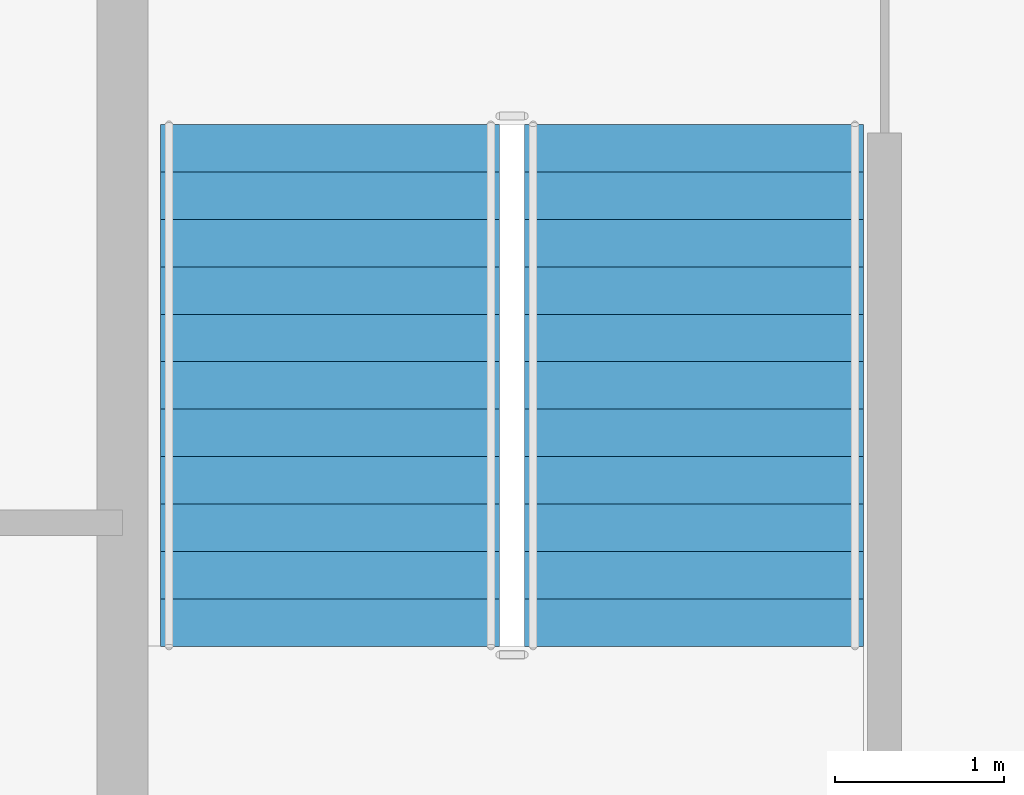
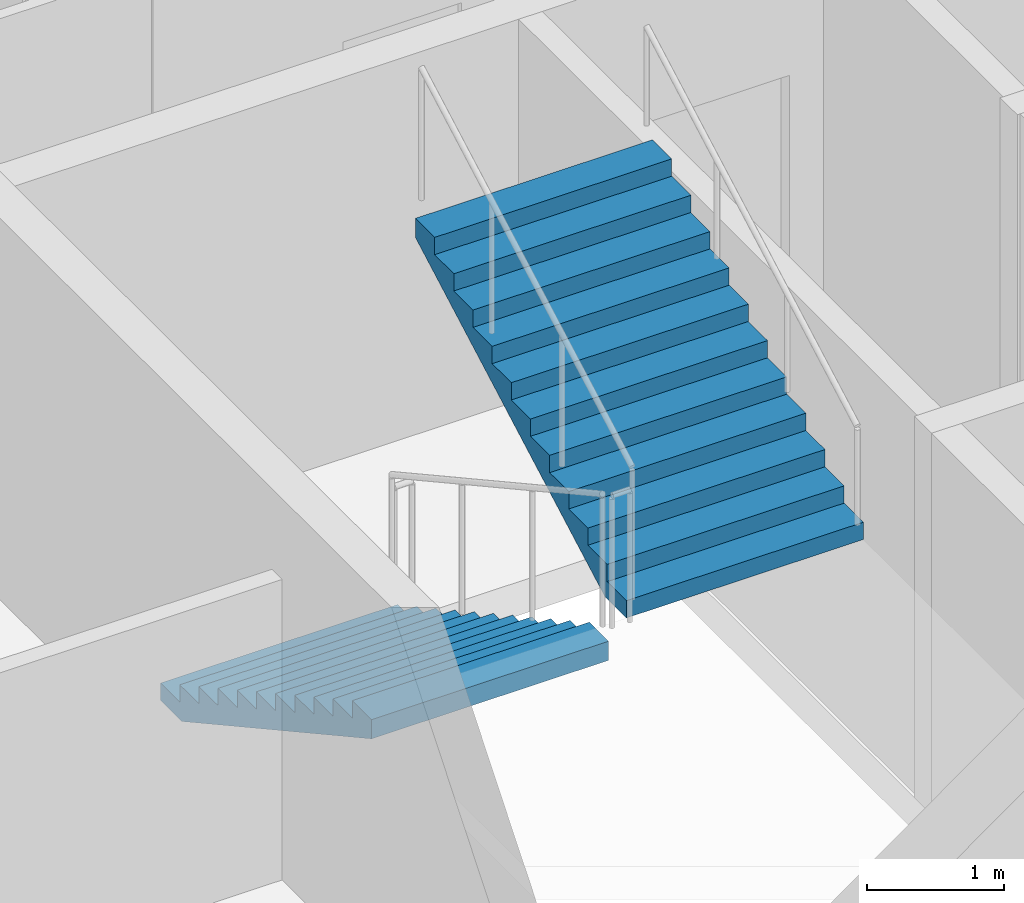
# One storey, part 7 of 11: 2 stair flights, 1 element without a shape of its own.
"""IFC4 building model written with IfcOpenShell, lengths in metres."""

from ifc_helpers import new_model, si_unit, direction, frame, origin, place, context, subcontext, project, spatial, polygons, material, type_object, element, aggregate, save


model = new_model("IFC4")

# Units and contexts
model_context = context("Model", 3, precision=1e-05, world=origin(), true_north=direction((0.0, 1.0)))
body_context = subcontext(model_context, "Body", "Model", "MODEL_VIEW")
ifc_project = project(units=[si_unit("LENGTHUNIT", "METRE"), si_unit("AREAUNIT", "SQUARE_METRE"), si_unit("VOLUMEUNIT", "CUBIC_METRE"), si_unit("PLANEANGLEUNIT", "RADIAN"), si_unit("MASSUNIT", "GRAM", prefix="KILO")], contexts=[model_context])

# Site, building, storey
site_placement = place(None, origin())
site = spatial("IfcSite", under=ifc_project, at=site_placement, CompositionType="ELEMENT")
building_placement = place(site_placement, origin())
building = spatial("IfcBuilding", under=site, at=building_placement, Name="Caravel Reach Hotel and Residences", CompositionType="ELEMENT")
storey_placement = place(building_placement, frame((0.0, 0.0, 256.39990234375)))
storey = spatial("IfcBuildingStorey", under=building, at=storey_placement, Name="L65", CompositionType="ELEMENT", Elevation=256.39990234375)

# Stair, stair flights
ifc_material_1 = material(Name="Concrete C40", Category="concrete")
stair_type = type_object("IfcStairType", Name="Core stair", PredefinedType="HALF_TURN_STAIR", material=ifc_material_1)
stair_placement = place(storey_placement, origin())
stair = element("IfcStair", 1, at=stair_placement, inside=storey, type_object=stair_type, Name="L65 Exit stair A", PredefinedType="HALF_TURN_STAIR")
ifc_material_2 = material(Name="Concrete C40", Category="concrete")
stair_flight_type = type_object("IfcStairFlightType", Name="Core stair flight", PredefinedType="STRAIGHT", material=ifc_material_2)
stair_flight_1_placement = place(storey_placement, frame((19.22509765625, 29.35009765625, 0.0), z_axis=(0.0, 0.0, 1.0), x_axis=(0.0, -1.0, 0.0)))
stair_flight_1 = element("IfcStairFlight", 2, at=stair_flight_1_placement, type_object=stair_flight_type, Name="ST-A flight 1", NumberOfRisers=12, NumberOfTreads=11, PredefinedType="STRAIGHT", RiserHeight=0.154166667, TreadLength=0.28, context=body_context, shape_type="Tessellation", body=[
    polygons([(0.3107950034306102, 1.0, 0.0), (0.3107950034306102, 0.6666666666666667, 0.0), (0.3107950034306102, 0.33333333333333337, 0.0), (0.3107950034306102, 0.0, 0.0), (0.3107950034306102, -0.33333333333333326, 0.0), (0.3107950034306102, -0.6666666666666667, 0.0), (0.3107950034306102, -1.0, 0.0), (3.081, 1.0, 1.524711087717319), (3.081, 0.6666666666666667, 1.524711087717319), (3.081, 0.33333333333333337, 1.524711087717319), (3.081, 0.0, 1.524711087717319), (3.081, -0.33333333333333326, 1.524711087717319), (3.081, -0.6666666666666667, 1.524711087717319), (3.081, -1.0, 1.524711087717319), (3.081, 1.0, 1.695833337), (3.081, 0.6666666666666667, 1.695833337), (3.081, 0.33333333333333337, 1.695833337), (3.081, 0.0, 1.695833337), (3.081, -0.33333333333333326, 1.695833337), (3.081, -0.6666666666666667, 1.695833337), (3.081, -1.0, 1.695833337), (2.8000000000000003, 1.0, 1.695833337), (2.8000000000000003, 0.6666666666666667, 1.695833337), (2.8000000000000003, 0.33333333333333337, 1.695833337), (2.8000000000000003, 0.0, 1.695833337), (2.8000000000000003, -0.33333333333333326, 1.695833337), (2.8000000000000003, -0.6666666666666667, 1.695833337), (2.8000000000000003, -1.0, 1.695833337), (2.8000000000000003, 1.0, 1.5416666700000001), (2.8000000000000003, 0.6666666666666667, 1.5416666700000001), (2.8000000000000003, 0.33333333333333337, 1.5416666700000001), (2.8000000000000003, 0.0, 1.5416666700000001), (2.8000000000000003, -0.33333333333333326, 1.5416666700000001), (2.8000000000000003, -0.6666666666666667, 1.5416666700000001), (2.8000000000000003, -1.0, 1.5416666700000001), (2.5200000000000005, 1.0, 1.5416666700000001), (2.5200000000000005, 0.6666666666666667, 1.5416666700000001), (2.5200000000000005, 0.33333333333333337, 1.5416666700000001), (2.5200000000000005, 0.0, 1.5416666700000001), (2.5200000000000005, -0.33333333333333326, 1.5416666700000001), (2.5200000000000005, -0.6666666666666667, 1.5416666700000001), (2.5200000000000005, -1.0, 1.5416666700000001), (2.5200000000000005, 1.0, 1.387500003), (2.5200000000000005, 0.6666666666666667, 1.387500003), (2.5200000000000005, 0.33333333333333337, 1.387500003), (2.5200000000000005, 0.0, 1.387500003), (2.5200000000000005, -0.33333333333333326, 1.387500003), (2.5200000000000005, -0.6666666666666667, 1.387500003), (2.5200000000000005, -1.0, 1.387500003), (2.24, 1.0, 1.387500003), (2.24, 0.6666666666666667, 1.387500003), (2.24, 0.33333333333333337, 1.387500003), (2.24, 0.0, 1.387500003), (2.24, -0.33333333333333326, 1.387500003), (2.24, -0.6666666666666667, 1.387500003), (2.24, -1.0, 1.387500003), (2.24, 1.0, 1.233333336), (2.24, 0.6666666666666667, 1.233333336), (2.24, 0.33333333333333337, 1.233333336), (2.24, 0.0, 1.233333336), (2.24, -0.33333333333333326, 1.233333336), (2.24, -0.6666666666666667, 1.233333336), (2.24, -1.0, 1.233333336), (1.9600000000000002, 1.0, 1.233333336), (1.9600000000000002, 0.6666666666666667, 1.233333336), (1.9600000000000002, 0.33333333333333337, 1.233333336), (1.9600000000000002, 0.0, 1.233333336), (1.9600000000000002, -0.33333333333333326, 1.233333336), (1.9600000000000002, -0.6666666666666667, 1.233333336), (1.9600000000000002, -1.0, 1.233333336), (1.9600000000000002, 1.0, 1.0791666690000001), (1.9600000000000002, 0.6666666666666667, 1.0791666690000001), (1.9600000000000002, 0.33333333333333337, 1.0791666690000001), (1.9600000000000002, 0.0, 1.0791666690000001), (1.9600000000000002, -0.33333333333333326, 1.0791666690000001), (1.9600000000000002, -0.6666666666666667, 1.0791666690000001), (1.9600000000000002, -1.0, 1.0791666690000001), (1.6800000000000002, 1.0, 1.0791666690000001), (1.6800000000000002, 0.6666666666666667, 1.0791666690000001), (1.6800000000000002, 0.33333333333333337, 1.0791666690000001), (1.6800000000000002, 0.0, 1.0791666690000001), (1.6800000000000002, -0.33333333333333326, 1.0791666690000001), (1.6800000000000002, -0.6666666666666667, 1.0791666690000001), (1.6800000000000002, -1.0, 1.0791666690000001), (1.6800000000000002, 1.0, 0.925000002), (1.6800000000000002, 0.6666666666666667, 0.925000002), (1.6800000000000002, 0.33333333333333337, 0.925000002), (1.6800000000000002, 0.0, 0.925000002), (1.6800000000000002, -0.33333333333333326, 0.925000002), (1.6800000000000002, -0.6666666666666667, 0.925000002), (1.6800000000000002, -1.0, 0.925000002), (1.4000000000000001, 1.0, 0.925000002), (1.4000000000000001, 0.6666666666666667, 0.925000002), (1.4000000000000001, 0.33333333333333337, 0.925000002), (1.4000000000000001, 0.0, 0.925000002), (1.4000000000000001, -0.33333333333333326, 0.925000002), (1.4000000000000001, -0.6666666666666667, 0.925000002), (1.4000000000000001, -1.0, 0.925000002), (1.4000000000000001, 1.0, 0.7708333350000001), (1.4000000000000001, 0.6666666666666667, 0.7708333350000001), (1.4000000000000001, 0.33333333333333337, 0.7708333350000001), (1.4000000000000001, 0.0, 0.7708333350000001), (1.4000000000000001, -0.33333333333333326, 0.7708333350000001), (1.4000000000000001, -0.6666666666666667, 0.7708333350000001), (1.4000000000000001, -1.0, 0.7708333350000001), (1.12, 1.0, 0.7708333350000001), (1.12, 0.6666666666666667, 0.7708333350000001), (1.12, 0.33333333333333337, 0.7708333350000001), (1.12, 0.0, 0.7708333350000001), (1.12, -0.33333333333333326, 0.7708333350000001), (1.12, -0.6666666666666667, 0.7708333350000001), (1.12, -1.0, 0.7708333350000001), (1.12, 1.0, 0.616666668), (1.12, 0.6666666666666667, 0.616666668), (1.12, 0.33333333333333337, 0.616666668), (1.12, 0.0, 0.616666668), (1.12, -0.33333333333333326, 0.616666668), (1.12, -0.6666666666666667, 0.616666668), (1.12, -1.0, 0.616666668), (0.8400000000000001, 1.0, 0.616666668), (0.8400000000000001, 0.6666666666666667, 0.616666668), (0.8400000000000001, 0.33333333333333337, 0.616666668), (0.8400000000000001, 0.0, 0.616666668), (0.8400000000000001, -0.33333333333333326, 0.616666668), (0.8400000000000001, -0.6666666666666667, 0.616666668), (0.8400000000000001, -1.0, 0.616666668), (0.8400000000000001, 1.0, 0.462500001), (0.8400000000000001, 0.6666666666666667, 0.462500001), (0.8400000000000001, 0.33333333333333337, 0.462500001), (0.8400000000000001, 0.0, 0.462500001), (0.8400000000000001, -0.33333333333333326, 0.462500001), (0.8400000000000001, -0.6666666666666667, 0.462500001), (0.8400000000000001, -1.0, 0.462500001), (0.56, 1.0, 0.462500001), (0.56, 0.6666666666666667, 0.462500001), (0.56, 0.33333333333333337, 0.462500001), (0.56, 0.0, 0.462500001), (0.56, -0.33333333333333326, 0.462500001), (0.56, -0.6666666666666667, 0.462500001), (0.56, -1.0, 0.462500001), (0.56, 1.0, 0.308333334), (0.56, 0.6666666666666667, 0.308333334), (0.56, 0.33333333333333337, 0.308333334), (0.56, 0.0, 0.308333334), (0.56, -0.33333333333333326, 0.308333334), (0.56, -0.6666666666666667, 0.308333334), (0.56, -1.0, 0.308333334), (0.28, 1.0, 0.308333334), (0.28, 0.6666666666666667, 0.308333334), (0.28, 0.33333333333333337, 0.308333334), (0.28, 0.0, 0.308333334), (0.28, -0.33333333333333326, 0.308333334), (0.28, -0.6666666666666667, 0.308333334), (0.28, -1.0, 0.308333334), (0.28, 1.0, 0.154166667), (0.28, 0.6666666666666667, 0.154166667), (0.28, 0.33333333333333337, 0.154166667), (0.28, 0.0, 0.154166667), (0.28, -0.33333333333333326, 0.154166667), (0.28, -0.6666666666666667, 0.154166667), (0.28, -1.0, 0.154166667), (-0.001, 1.0, 0.154166667), (-0.001, 0.6666666666666667, 0.154166667), (-0.001, 0.33333333333333337, 0.154166667), (-0.001, 0.0, 0.154166667), (-0.001, -0.33333333333333326, 0.154166667), (-0.001, -0.6666666666666667, 0.154166667), (-0.001, -1.0, 0.154166667), (-0.001, 1.0, 0.0), (-0.001, 0.6666666666666667, 0.0), (-0.001, 0.33333333333333337, 0.0), (-0.001, 0.0, 0.0), (-0.001, -0.33333333333333326, 0.0), (-0.001, -0.6666666666666667, 0.0), (-0.001, -1.0, 0.0)], [[[169, 162, 155, 148, 141, 134, 127, 120, 113, 106, 99, 92, 85, 78, 71, 64, 57, 50, 43, 36, 29, 22, 15, 8, 1]], [[7, 14, 21, 28, 35, 42, 49, 56, 63, 70, 77, 84, 91, 98, 105, 112, 119, 126, 133, 140, 147, 154, 161, 168, 175]], [[1, 8, 9, 2]], [[2, 9, 10, 3]], [[3, 10, 11, 4]], [[4, 11, 12, 5]], [[5, 12, 13, 6]], [[6, 13, 14, 7]], [[8, 15, 16, 9]], [[9, 16, 17, 10]], [[10, 17, 18, 11]], [[11, 18, 19, 12]], [[12, 19, 20, 13]], [[13, 20, 21, 14]], [[15, 22, 23, 16]], [[16, 23, 24, 17]], [[17, 24, 25, 18]], [[18, 25, 26, 19]], [[19, 26, 27, 20]], [[20, 27, 28, 21]], [[22, 29, 30, 23]], [[23, 30, 31, 24]], [[24, 31, 32, 25]], [[25, 32, 33, 26]], [[26, 33, 34, 27]], [[27, 34, 35, 28]], [[29, 36, 37, 30]], [[30, 37, 38, 31]], [[31, 38, 39, 32]], [[32, 39, 40, 33]], [[33, 40, 41, 34]], [[34, 41, 42, 35]], [[36, 43, 44, 37]], [[37, 44, 45, 38]], [[38, 45, 46, 39]], [[39, 46, 47, 40]], [[40, 47, 48, 41]], [[41, 48, 49, 42]], [[43, 50, 51, 44]], [[44, 51, 52, 45]], [[45, 52, 53, 46]], [[46, 53, 54, 47]], [[47, 54, 55, 48]], [[48, 55, 56, 49]], [[50, 57, 58, 51]], [[51, 58, 59, 52]], [[52, 59, 60, 53]], [[53, 60, 61, 54]], [[54, 61, 62, 55]], [[55, 62, 63, 56]], [[57, 64, 65, 58]], [[58, 65, 66, 59]], [[59, 66, 67, 60]], [[60, 67, 68, 61]], [[61, 68, 69, 62]], [[62, 69, 70, 63]], [[64, 71, 72, 65]], [[65, 72, 73, 66]], [[66, 73, 74, 67]], [[67, 74, 75, 68]], [[68, 75, 76, 69]], [[69, 76, 77, 70]], [[71, 78, 79, 72]], [[72, 79, 80, 73]], [[73, 80, 81, 74]], [[74, 81, 82, 75]], [[75, 82, 83, 76]], [[76, 83, 84, 77]], [[78, 85, 86, 79]], [[79, 86, 87, 80]], [[80, 87, 88, 81]], [[81, 88, 89, 82]], [[82, 89, 90, 83]], [[83, 90, 91, 84]], [[85, 92, 93, 86]], [[86, 93, 94, 87]], [[87, 94, 95, 88]], [[88, 95, 96, 89]], [[89, 96, 97, 90]], [[90, 97, 98, 91]], [[92, 99, 100, 93]], [[93, 100, 101, 94]], [[94, 101, 102, 95]], [[95, 102, 103, 96]], [[96, 103, 104, 97]], [[97, 104, 105, 98]], [[99, 106, 107, 100]], [[100, 107, 108, 101]], [[101, 108, 109, 102]], [[102, 109, 110, 103]], [[103, 110, 111, 104]], [[104, 111, 112, 105]], [[106, 113, 114, 107]], [[107, 114, 115, 108]], [[108, 115, 116, 109]], [[109, 116, 117, 110]], [[110, 117, 118, 111]], [[111, 118, 119, 112]], [[113, 120, 121, 114]], [[114, 121, 122, 115]], [[115, 122, 123, 116]], [[116, 123, 124, 117]], [[117, 124, 125, 118]], [[118, 125, 126, 119]], [[120, 127, 128, 121]], [[121, 128, 129, 122]], [[122, 129, 130, 123]], [[123, 130, 131, 124]], [[124, 131, 132, 125]], [[125, 132, 133, 126]], [[127, 134, 135, 128]], [[128, 135, 136, 129]], [[129, 136, 137, 130]], [[130, 137, 138, 131]], [[131, 138, 139, 132]], [[132, 139, 140, 133]], [[134, 141, 142, 135]], [[135, 142, 143, 136]], [[136, 143, 144, 137]], [[137, 144, 145, 138]], [[138, 145, 146, 139]], [[139, 146, 147, 140]], [[141, 148, 149, 142]], [[142, 149, 150, 143]], [[143, 150, 151, 144]], [[144, 151, 152, 145]], [[145, 152, 153, 146]], [[146, 153, 154, 147]], [[148, 155, 156, 149]], [[149, 156, 157, 150]], [[150, 157, 158, 151]], [[151, 158, 159, 152]], [[152, 159, 160, 153]], [[153, 160, 161, 154]], [[155, 162, 163, 156]], [[156, 163, 164, 157]], [[157, 164, 165, 158]], [[158, 165, 166, 159]], [[159, 166, 167, 160]], [[160, 167, 168, 161]], [[162, 169, 170, 163]], [[163, 170, 171, 164]], [[164, 171, 172, 165]], [[165, 172, 173, 166]], [[166, 173, 174, 167]], [[167, 174, 175, 168]], [[169, 1, 2, 170]], [[170, 2, 3, 171]], [[171, 3, 4, 172]], [[172, 4, 5, 173]], [[173, 5, 6, 174]], [[174, 6, 7, 175]]], closed=True),
])
stair_flight_2_placement = place(storey_placement, frame((21.375, 26.27001953125, 1.85009765625), z_axis=(0.0, 0.0, 1.0), x_axis=(0.0, 1.0, 0.0)))
stair_flight_2 = element("IfcStairFlight", 3, at=stair_flight_2_placement, type_object=stair_flight_type, Name="ST-A flight 2", NumberOfRisers=12, NumberOfTreads=11, PredefinedType="STRAIGHT", RiserHeight=0.154166667, TreadLength=0.28, context=body_context, shape_type="Tessellation", body=[
    polygons([(0.3107950034306102, 1.0, 0.0), (0.3107950034306102, 0.6666666666666667, 0.0), (0.3107950034306102, 0.33333333333333337, 0.0), (0.3107950034306102, 0.0, 0.0), (0.3107950034306102, -0.33333333333333326, 0.0), (0.3107950034306102, -0.6666666666666667, 0.0), (0.3107950034306102, -1.0, 0.0), (3.081, 1.0, 1.524711087717319), (3.081, 0.6666666666666667, 1.524711087717319), (3.081, 0.33333333333333337, 1.524711087717319), (3.081, 0.0, 1.524711087717319), (3.081, -0.33333333333333326, 1.524711087717319), (3.081, -0.6666666666666667, 1.524711087717319), (3.081, -1.0, 1.524711087717319), (3.081, 1.0, 1.695833337), (3.081, 0.6666666666666667, 1.695833337), (3.081, 0.33333333333333337, 1.695833337), (3.081, 0.0, 1.695833337), (3.081, -0.33333333333333326, 1.695833337), (3.081, -0.6666666666666667, 1.695833337), (3.081, -1.0, 1.695833337), (2.8000000000000003, 1.0, 1.695833337), (2.8000000000000003, 0.6666666666666667, 1.695833337), (2.8000000000000003, 0.33333333333333337, 1.695833337), (2.8000000000000003, 0.0, 1.695833337), (2.8000000000000003, -0.33333333333333326, 1.695833337), (2.8000000000000003, -0.6666666666666667, 1.695833337), (2.8000000000000003, -1.0, 1.695833337), (2.8000000000000003, 1.0, 1.5416666700000001), (2.8000000000000003, 0.6666666666666667, 1.5416666700000001), (2.8000000000000003, 0.33333333333333337, 1.5416666700000001), (2.8000000000000003, 0.0, 1.5416666700000001), (2.8000000000000003, -0.33333333333333326, 1.5416666700000001), (2.8000000000000003, -0.6666666666666667, 1.5416666700000001), (2.8000000000000003, -1.0, 1.5416666700000001), (2.5200000000000005, 1.0, 1.5416666700000001), (2.5200000000000005, 0.6666666666666667, 1.5416666700000001), (2.5200000000000005, 0.33333333333333337, 1.5416666700000001), (2.5200000000000005, 0.0, 1.5416666700000001), (2.5200000000000005, -0.33333333333333326, 1.5416666700000001), (2.5200000000000005, -0.6666666666666667, 1.5416666700000001), (2.5200000000000005, -1.0, 1.5416666700000001), (2.5200000000000005, 1.0, 1.387500003), (2.5200000000000005, 0.6666666666666667, 1.387500003), (2.5200000000000005, 0.33333333333333337, 1.387500003), (2.5200000000000005, 0.0, 1.387500003), (2.5200000000000005, -0.33333333333333326, 1.387500003), (2.5200000000000005, -0.6666666666666667, 1.387500003), (2.5200000000000005, -1.0, 1.387500003), (2.24, 1.0, 1.387500003), (2.24, 0.6666666666666667, 1.387500003), (2.24, 0.33333333333333337, 1.387500003), (2.24, 0.0, 1.387500003), (2.24, -0.33333333333333326, 1.387500003), (2.24, -0.6666666666666667, 1.387500003), (2.24, -1.0, 1.387500003), (2.24, 1.0, 1.233333336), (2.24, 0.6666666666666667, 1.233333336), (2.24, 0.33333333333333337, 1.233333336), (2.24, 0.0, 1.233333336), (2.24, -0.33333333333333326, 1.233333336), (2.24, -0.6666666666666667, 1.233333336), (2.24, -1.0, 1.233333336), (1.9600000000000002, 1.0, 1.233333336), (1.9600000000000002, 0.6666666666666667, 1.233333336), (1.9600000000000002, 0.33333333333333337, 1.233333336), (1.9600000000000002, 0.0, 1.233333336), (1.9600000000000002, -0.33333333333333326, 1.233333336), (1.9600000000000002, -0.6666666666666667, 1.233333336), (1.9600000000000002, -1.0, 1.233333336), (1.9600000000000002, 1.0, 1.0791666690000001), (1.9600000000000002, 0.6666666666666667, 1.0791666690000001), (1.9600000000000002, 0.33333333333333337, 1.0791666690000001), (1.9600000000000002, 0.0, 1.0791666690000001), (1.9600000000000002, -0.33333333333333326, 1.0791666690000001), (1.9600000000000002, -0.6666666666666667, 1.0791666690000001), (1.9600000000000002, -1.0, 1.0791666690000001), (1.6800000000000002, 1.0, 1.0791666690000001), (1.6800000000000002, 0.6666666666666667, 1.0791666690000001), (1.6800000000000002, 0.33333333333333337, 1.0791666690000001), (1.6800000000000002, 0.0, 1.0791666690000001), (1.6800000000000002, -0.33333333333333326, 1.0791666690000001), (1.6800000000000002, -0.6666666666666667, 1.0791666690000001), (1.6800000000000002, -1.0, 1.0791666690000001), (1.6800000000000002, 1.0, 0.925000002), (1.6800000000000002, 0.6666666666666667, 0.925000002), (1.6800000000000002, 0.33333333333333337, 0.925000002), (1.6800000000000002, 0.0, 0.925000002), (1.6800000000000002, -0.33333333333333326, 0.925000002), (1.6800000000000002, -0.6666666666666667, 0.925000002), (1.6800000000000002, -1.0, 0.925000002), (1.4000000000000001, 1.0, 0.925000002), (1.4000000000000001, 0.6666666666666667, 0.925000002), (1.4000000000000001, 0.33333333333333337, 0.925000002), (1.4000000000000001, 0.0, 0.925000002), (1.4000000000000001, -0.33333333333333326, 0.925000002), (1.4000000000000001, -0.6666666666666667, 0.925000002), (1.4000000000000001, -1.0, 0.925000002), (1.4000000000000001, 1.0, 0.7708333350000001), (1.4000000000000001, 0.6666666666666667, 0.7708333350000001), (1.4000000000000001, 0.33333333333333337, 0.7708333350000001), (1.4000000000000001, 0.0, 0.7708333350000001), (1.4000000000000001, -0.33333333333333326, 0.7708333350000001), (1.4000000000000001, -0.6666666666666667, 0.7708333350000001), (1.4000000000000001, -1.0, 0.7708333350000001), (1.12, 1.0, 0.7708333350000001), (1.12, 0.6666666666666667, 0.7708333350000001), (1.12, 0.33333333333333337, 0.7708333350000001), (1.12, 0.0, 0.7708333350000001), (1.12, -0.33333333333333326, 0.7708333350000001), (1.12, -0.6666666666666667, 0.7708333350000001), (1.12, -1.0, 0.7708333350000001), (1.12, 1.0, 0.616666668), (1.12, 0.6666666666666667, 0.616666668), (1.12, 0.33333333333333337, 0.616666668), (1.12, 0.0, 0.616666668), (1.12, -0.33333333333333326, 0.616666668), (1.12, -0.6666666666666667, 0.616666668), (1.12, -1.0, 0.616666668), (0.8400000000000001, 1.0, 0.616666668), (0.8400000000000001, 0.6666666666666667, 0.616666668), (0.8400000000000001, 0.33333333333333337, 0.616666668), (0.8400000000000001, 0.0, 0.616666668), (0.8400000000000001, -0.33333333333333326, 0.616666668), (0.8400000000000001, -0.6666666666666667, 0.616666668), (0.8400000000000001, -1.0, 0.616666668), (0.8400000000000001, 1.0, 0.462500001), (0.8400000000000001, 0.6666666666666667, 0.462500001), (0.8400000000000001, 0.33333333333333337, 0.462500001), (0.8400000000000001, 0.0, 0.462500001), (0.8400000000000001, -0.33333333333333326, 0.462500001), (0.8400000000000001, -0.6666666666666667, 0.462500001), (0.8400000000000001, -1.0, 0.462500001), (0.56, 1.0, 0.462500001), (0.56, 0.6666666666666667, 0.462500001), (0.56, 0.33333333333333337, 0.462500001), (0.56, 0.0, 0.462500001), (0.56, -0.33333333333333326, 0.462500001), (0.56, -0.6666666666666667, 0.462500001), (0.56, -1.0, 0.462500001), (0.56, 1.0, 0.308333334), (0.56, 0.6666666666666667, 0.308333334), (0.56, 0.33333333333333337, 0.308333334), (0.56, 0.0, 0.308333334), (0.56, -0.33333333333333326, 0.308333334), (0.56, -0.6666666666666667, 0.308333334), (0.56, -1.0, 0.308333334), (0.28, 1.0, 0.308333334), (0.28, 0.6666666666666667, 0.308333334), (0.28, 0.33333333333333337, 0.308333334), (0.28, 0.0, 0.308333334), (0.28, -0.33333333333333326, 0.308333334), (0.28, -0.6666666666666667, 0.308333334), (0.28, -1.0, 0.308333334), (0.28, 1.0, 0.154166667), (0.28, 0.6666666666666667, 0.154166667), (0.28, 0.33333333333333337, 0.154166667), (0.28, 0.0, 0.154166667), (0.28, -0.33333333333333326, 0.154166667), (0.28, -0.6666666666666667, 0.154166667), (0.28, -1.0, 0.154166667), (-0.001, 1.0, 0.154166667), (-0.001, 0.6666666666666667, 0.154166667), (-0.001, 0.33333333333333337, 0.154166667), (-0.001, 0.0, 0.154166667), (-0.001, -0.33333333333333326, 0.154166667), (-0.001, -0.6666666666666667, 0.154166667), (-0.001, -1.0, 0.154166667), (-0.001, 1.0, 0.0), (-0.001, 0.6666666666666667, 0.0), (-0.001, 0.33333333333333337, 0.0), (-0.001, 0.0, 0.0), (-0.001, -0.33333333333333326, 0.0), (-0.001, -0.6666666666666667, 0.0), (-0.001, -1.0, 0.0)], [[[169, 162, 155, 148, 141, 134, 127, 120, 113, 106, 99, 92, 85, 78, 71, 64, 57, 50, 43, 36, 29, 22, 15, 8, 1]], [[7, 14, 21, 28, 35, 42, 49, 56, 63, 70, 77, 84, 91, 98, 105, 112, 119, 126, 133, 140, 147, 154, 161, 168, 175]], [[1, 8, 9, 2]], [[2, 9, 10, 3]], [[3, 10, 11, 4]], [[4, 11, 12, 5]], [[5, 12, 13, 6]], [[6, 13, 14, 7]], [[8, 15, 16, 9]], [[9, 16, 17, 10]], [[10, 17, 18, 11]], [[11, 18, 19, 12]], [[12, 19, 20, 13]], [[13, 20, 21, 14]], [[15, 22, 23, 16]], [[16, 23, 24, 17]], [[17, 24, 25, 18]], [[18, 25, 26, 19]], [[19, 26, 27, 20]], [[20, 27, 28, 21]], [[22, 29, 30, 23]], [[23, 30, 31, 24]], [[24, 31, 32, 25]], [[25, 32, 33, 26]], [[26, 33, 34, 27]], [[27, 34, 35, 28]], [[29, 36, 37, 30]], [[30, 37, 38, 31]], [[31, 38, 39, 32]], [[32, 39, 40, 33]], [[33, 40, 41, 34]], [[34, 41, 42, 35]], [[36, 43, 44, 37]], [[37, 44, 45, 38]], [[38, 45, 46, 39]], [[39, 46, 47, 40]], [[40, 47, 48, 41]], [[41, 48, 49, 42]], [[43, 50, 51, 44]], [[44, 51, 52, 45]], [[45, 52, 53, 46]], [[46, 53, 54, 47]], [[47, 54, 55, 48]], [[48, 55, 56, 49]], [[50, 57, 58, 51]], [[51, 58, 59, 52]], [[52, 59, 60, 53]], [[53, 60, 61, 54]], [[54, 61, 62, 55]], [[55, 62, 63, 56]], [[57, 64, 65, 58]], [[58, 65, 66, 59]], [[59, 66, 67, 60]], [[60, 67, 68, 61]], [[61, 68, 69, 62]], [[62, 69, 70, 63]], [[64, 71, 72, 65]], [[65, 72, 73, 66]], [[66, 73, 74, 67]], [[67, 74, 75, 68]], [[68, 75, 76, 69]], [[69, 76, 77, 70]], [[71, 78, 79, 72]], [[72, 79, 80, 73]], [[73, 80, 81, 74]], [[74, 81, 82, 75]], [[75, 82, 83, 76]], [[76, 83, 84, 77]], [[78, 85, 86, 79]], [[79, 86, 87, 80]], [[80, 87, 88, 81]], [[81, 88, 89, 82]], [[82, 89, 90, 83]], [[83, 90, 91, 84]], [[85, 92, 93, 86]], [[86, 93, 94, 87]], [[87, 94, 95, 88]], [[88, 95, 96, 89]], [[89, 96, 97, 90]], [[90, 97, 98, 91]], [[92, 99, 100, 93]], [[93, 100, 101, 94]], [[94, 101, 102, 95]], [[95, 102, 103, 96]], [[96, 103, 104, 97]], [[97, 104, 105, 98]], [[99, 106, 107, 100]], [[100, 107, 108, 101]], [[101, 108, 109, 102]], [[102, 109, 110, 103]], [[103, 110, 111, 104]], [[104, 111, 112, 105]], [[106, 113, 114, 107]], [[107, 114, 115, 108]], [[108, 115, 116, 109]], [[109, 116, 117, 110]], [[110, 117, 118, 111]], [[111, 118, 119, 112]], [[113, 120, 121, 114]], [[114, 121, 122, 115]], [[115, 122, 123, 116]], [[116, 123, 124, 117]], [[117, 124, 125, 118]], [[118, 125, 126, 119]], [[120, 127, 128, 121]], [[121, 128, 129, 122]], [[122, 129, 130, 123]], [[123, 130, 131, 124]], [[124, 131, 132, 125]], [[125, 132, 133, 126]], [[127, 134, 135, 128]], [[128, 135, 136, 129]], [[129, 136, 137, 130]], [[130, 137, 138, 131]], [[131, 138, 139, 132]], [[132, 139, 140, 133]], [[134, 141, 142, 135]], [[135, 142, 143, 136]], [[136, 143, 144, 137]], [[137, 144, 145, 138]], [[138, 145, 146, 139]], [[139, 146, 147, 140]], [[141, 148, 149, 142]], [[142, 149, 150, 143]], [[143, 150, 151, 144]], [[144, 151, 152, 145]], [[145, 152, 153, 146]], [[146, 153, 154, 147]], [[148, 155, 156, 149]], [[149, 156, 157, 150]], [[150, 157, 158, 151]], [[151, 158, 159, 152]], [[152, 159, 160, 153]], [[153, 160, 161, 154]], [[155, 162, 163, 156]], [[156, 163, 164, 157]], [[157, 164, 165, 158]], [[158, 165, 166, 159]], [[159, 166, 167, 160]], [[160, 167, 168, 161]], [[162, 169, 170, 163]], [[163, 170, 171, 164]], [[164, 171, 172, 165]], [[165, 172, 173, 166]], [[166, 173, 174, 167]], [[167, 174, 175, 168]], [[169, 1, 2, 170]], [[170, 2, 3, 171]], [[171, 3, 4, 172]], [[172, 4, 5, 173]], [[173, 5, 6, 174]], [[174, 6, 7, 175]]], closed=True),
])
aggregate(stair, [stair_flight_1, stair_flight_2])

save(model, "model.ifc")
